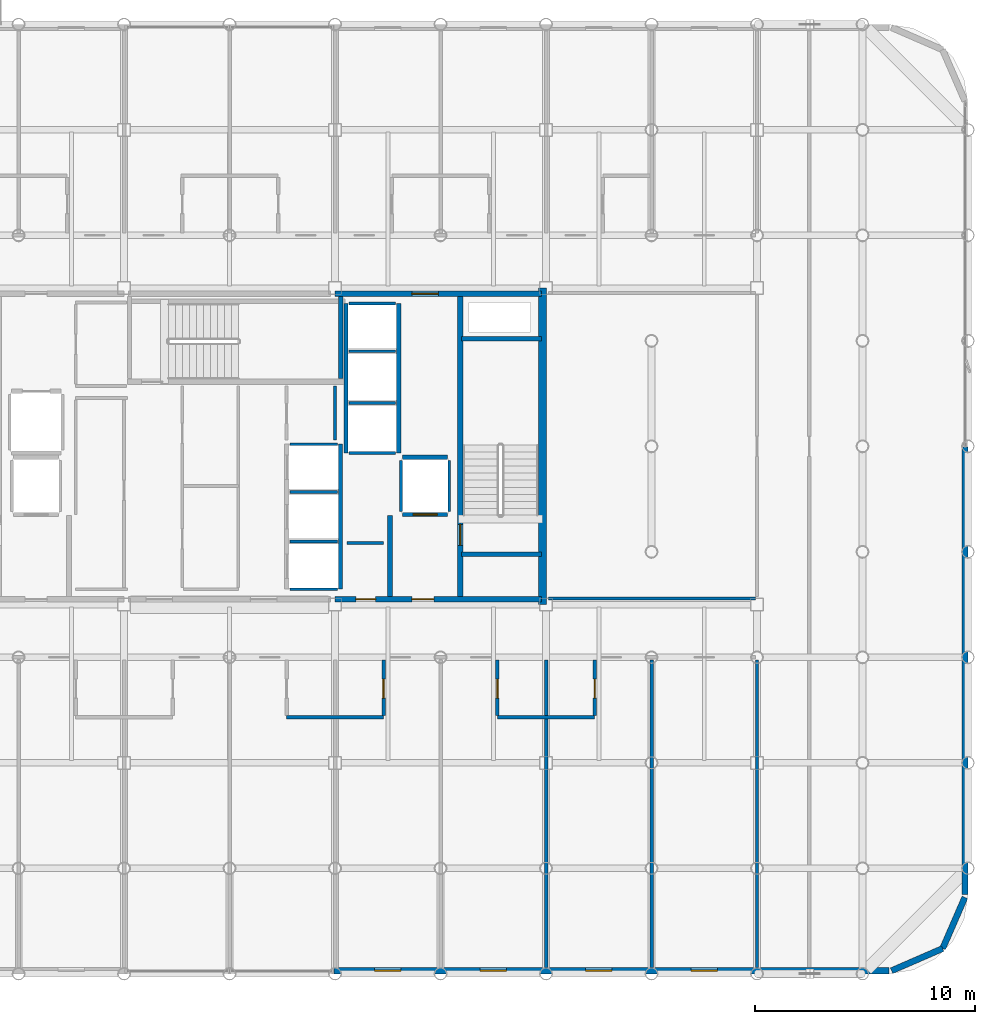
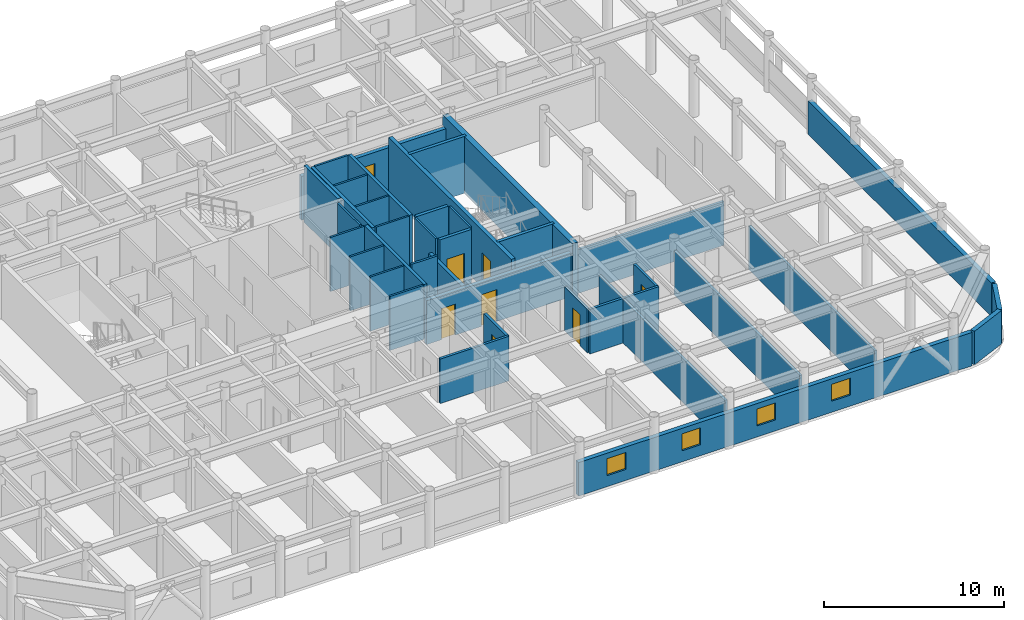
# One storey, part 19 of 23: 38 walls, 8 doors, 4 windows, 12 openings.
"""IFC4 building model written with IfcOpenShell, lengths in metres."""

from ifc_helpers import new_model, si_unit, direction, frame, frame_2d, origin, place, context, subcontext, project, spatial, rectangle, extrude, material, layer, layer_set, type_object, element, fill, save


model = new_model("IFC4")

# Units and contexts
model_context = context("Model", 3, precision=1e-05, world=origin(), true_north=direction((0.0, 1.0)))
body_context = subcontext(model_context, "Body", "Model", "MODEL_VIEW")
ifc_project = project(units=[si_unit("LENGTHUNIT", "METRE"), si_unit("AREAUNIT", "SQUARE_METRE"), si_unit("VOLUMEUNIT", "CUBIC_METRE"), si_unit("PLANEANGLEUNIT", "RADIAN"), si_unit("MASSUNIT", "GRAM", prefix="KILO")], contexts=[model_context])

# Site, building, storey
site_placement = place(None, origin())
site = spatial("IfcSite", under=ifc_project, at=site_placement, CompositionType="ELEMENT")
building_placement = place(site_placement, origin())
building = spatial("IfcBuilding", under=site, at=building_placement, Name="Kallvorn Hotel Tower", CompositionType="ELEMENT")
storey_placement = place(building_placement, frame((0.0, 0.0, 195.35009765625)))
storey = spatial("IfcBuildingStorey", under=building, at=storey_placement, Name="L48", CompositionType="ELEMENT", Elevation=195.35009765625)

# Walls
ifc_material_1 = material(Name="Concrete C50/60", Category="concrete")
ifc_layer_1 = layer(ifc_material_1, 0.35009765625)
ifc_layer_set_1 = layer_set([ifc_layer_1], Name="WL_CORE_350")
wall_type_1 = type_object("IfcWallType", Name="WL_CORE_350", PredefinedType="SHEAR", material=ifc_layer_set_1)
wall_1_placement = place(storey_placement, frame((14.239990234375, -7.199951171875, -0.18017578125), z_axis=(0.0, 0.0, 1.0), x_axis=(0.0, 1.0, 0.0)))
element("IfcWall", 1, at=wall_1_placement, inside=storey, type_object=wall_type_1, Name="L48 Core East Shear Wall", PredefinedType="SHEAR", context=body_context, shape_type="SweptSolid", body=[
    extrude(rectangle(XDim=14.39990234375, YDim=0.35009765625, at=frame_2d((7.199951171875, 0.0))), origin(), (0.0, 0.0, 1.0), 3.85009765625),
])
ifc_material_2 = material(Name="Fire-rated double-layer acoustic gypsum drywall EI 60")
ifc_layer_2 = layer(ifc_material_2, 0.159912109375)
ifc_layer_set_2 = layer_set([ifc_layer_2], Name="WL_DEMISE_160")
wall_type_2 = type_object("IfcWallType", Name="WL_DEMISE_160", PredefinedType="PARTITIONING", material=ifc_layer_set_2)
wall_2_placement = place(storey_placement, frame((2.590087890625, -12.320068359375, 0.0), z_axis=(0.0, 0.0, 1.0), x_axis=(1.0, 0.0, 0.0)))
element("IfcWall", 2, at=wall_2_placement, inside=storey, type_object=wall_type_2, Name="L48 Suite 4805 Superior Twin Room Partition", PredefinedType="PARTITIONING", context=body_context, shape_type="SweptSolid", body=[
    extrude(rectangle(XDim=4.419921875, YDim=0.159912109375, at=frame_2d((2.2099609375, 0.0))), origin(), (0.0, 0.0, 1.0), 3.02001953125),
])
wall_3_placement = place(storey_placement, frame((12.18994140625, -12.320068359375, 0.0), z_axis=(0.0, 0.0, 1.0), x_axis=(1.0, 0.0, 0.0)))
element("IfcWall", 3, at=wall_3_placement, inside=storey, type_object=wall_type_2, Name="L48 Suite 4807 Superior Twin Room Partition", PredefinedType="PARTITIONING", context=body_context, shape_type="SweptSolid", body=[
    extrude(rectangle(XDim=4.420166015625, YDim=0.159912109375, at=frame_2d((2.2099609375, 0.0))), origin(), (0.0, 0.0, 1.0), 3.02001953125),
])

# Wall, opening, door
wall_4_placement = place(storey_placement, frame((7.006591796875, -12.235107421875, 0.0), z_axis=(0.0, 0.0, 1.0), x_axis=(0.0, 1.0, 0.0)))
wall_4 = element("IfcWall", 4, at=wall_4_placement, inside=storey, type_object=wall_type_2, Name="L48 Suite 4806 Superior Twin Room Partition", PredefinedType="PARTITIONING", context=body_context, shape_type="SweptSolid", body=[
    extrude(rectangle(XDim=2.51513671875, YDim=0.159912109375, at=frame_2d((1.257568359375, 0.0))), origin(), (0.0, 0.0, 1.0), 2.969970703125),
])
opening_1_placement = place(wall_4_placement, frame((0.784912109375, 0.0, 0.0)))
opening_1 = element("IfcOpeningElement", 5, at=opening_1_placement, cuts=wall_4, Name="Opening BD-I", PredefinedType="OPENING", context=body_context, shape_type="SweptSolid", body=[
    extrude(rectangle(XDim=0.860107421875, YDim=2.10009765625, at=frame_2d((0.43017578125, 1.050048828125))), frame((0.0, 0.094970703125, 0.0), z_axis=(0.0, -1.0, 0.0), x_axis=(1.0, 0.0, 0.0)), (0.0, 0.0, 1.0), 0.18994140625),
])
ifc_material_3 = material(Name="Solid-core walnut veneer fire-rated timber door leaf", Category="wood")
door_type_1 = type_object("IfcDoorType", Name="DR_BATH_860x2100", OperationType="NOTDEFINED", PredefinedType="DOOR", material=ifc_material_3)
door_1_placement = place(opening_1_placement, origin())
door_1 = element("IfcDoor", 6, at=door_1_placement, inside=storey, type_object=door_type_1, Name="L48 Suite 4806 En-Suite Bathroom Door", OperationType="SINGLE_SWING_RIGHT", OverallHeight=2.10009765625, OverallWidth=0.860107421875, PredefinedType="DOOR", context=body_context, shape_type="SweptSolid", body=[
    extrude(rectangle(XDim=0.860107421875, YDim=2.10009765625, at=frame_2d((0.43017578125, 1.050048828125))), frame((0.0, 0.02490234375, 0.0), z_axis=(0.0, -1.0, 0.0), x_axis=(1.0, 0.0, 0.0)), (0.0, 0.0, 1.0), 0.050048828125),
])
fill(opening_1, door_1)

wall_5_placement = place(storey_placement, frame((12.18994140625, -12.235107421875, 0.0), z_axis=(0.0, 0.0, 1.0), x_axis=(0.0, 1.0, 0.0)))
wall_5 = element("IfcWall", 7, at=wall_5_placement, inside=storey, type_object=wall_type_2, Name="L48 Suite 4807 Superior Twin Room Partition", PredefinedType="PARTITIONING", context=body_context, shape_type="SweptSolid", body=[
    extrude(rectangle(XDim=2.51513671875, YDim=0.159912109375, at=frame_2d((1.257568359375, 0.0))), origin(), (0.0, 0.0, 1.0), 2.969970703125),
])
opening_2_placement = place(wall_5_placement, frame((0.784912109375, 0.0, 0.0)))
opening_2 = element("IfcOpeningElement", 8, at=opening_2_placement, cuts=wall_5, Name="Opening BD-I", PredefinedType="OPENING", context=body_context, shape_type="SweptSolid", body=[
    extrude(rectangle(XDim=0.860107421875, YDim=2.10009765625, at=frame_2d((0.43017578125, 1.050048828125))), frame((0.0, 0.094970703125, 0.0), z_axis=(0.0, -1.0, 0.0), x_axis=(1.0, 0.0, 0.0)), (0.0, 0.0, 1.0), 0.18994140625),
])
door_2_placement = place(opening_2_placement, origin())
door_2 = element("IfcDoor", 9, at=door_2_placement, inside=storey, type_object=door_type_1, Name="L48 Suite 4807 En-Suite Bathroom Door", OperationType="SINGLE_SWING_RIGHT", OverallHeight=2.10009765625, OverallWidth=0.860107421875, PredefinedType="DOOR", context=body_context, shape_type="SweptSolid", body=[
    extrude(rectangle(XDim=0.860107421875, YDim=2.10009765625, at=frame_2d((0.43017578125, 1.050048828125))), frame((0.0, 0.02490234375, 0.0), z_axis=(0.0, -1.0, 0.0), x_axis=(1.0, 0.0, 0.0)), (0.0, 0.0, 1.0), 0.050048828125),
])
fill(opening_2, door_2)

# Wall
wall_6_placement = place(storey_placement, frame((14.39990234375, -23.7099609375, 0.0), z_axis=(0.0, 0.0, 1.0), x_axis=(0.0, 1.0, 0.0)))
element("IfcWall", 10, at=wall_6_placement, inside=storey, type_object=wall_type_2, Name="L48 Suite 4807 Superior Twin Room Partition", PredefinedType="PARTITIONING", context=body_context, shape_type="SweptSolid", body=[
    extrude(rectangle(XDim=13.989990234375, YDim=0.159912109375, at=frame_2d((6.9951171875, 0.0))), origin(), (0.0, 0.0, 1.0), 2.969970703125),
])

# Wall, opening, door
wall_7_placement = place(storey_placement, frame((16.610107421875, -12.235107421875, 0.0), z_axis=(0.0, 0.0, 1.0), x_axis=(0.0, 1.0, 0.0)))
wall_7 = element("IfcWall", 11, at=wall_7_placement, inside=storey, type_object=wall_type_2, Name="L48 Suite 4808 Superior Twin Room Partition", PredefinedType="PARTITIONING", context=body_context, shape_type="SweptSolid", body=[
    extrude(rectangle(XDim=2.51513671875, YDim=0.159912109375, at=frame_2d((1.257568359375, 0.0))), origin(), (0.0, 0.0, 1.0), 2.969970703125),
])
opening_3_placement = place(wall_7_placement, frame((0.784912109375, 0.0, 0.0)))
opening_3 = element("IfcOpeningElement", 12, at=opening_3_placement, cuts=wall_7, Name="Opening BD-I", PredefinedType="OPENING", context=body_context, shape_type="SweptSolid", body=[
    extrude(rectangle(XDim=0.860107421875, YDim=2.10009765625, at=frame_2d((0.43017578125, 1.050048828125))), frame((0.0, 0.094970703125, 0.0), z_axis=(0.0, -1.0, 0.0), x_axis=(1.0, 0.0, 0.0)), (0.0, 0.0, 1.0), 0.18994140625),
])
door_3_placement = place(opening_3_placement, origin())
door_3 = element("IfcDoor", 13, at=door_3_placement, inside=storey, type_object=door_type_1, Name="L48 Suite 4808 En-Suite Bathroom Door", OperationType="SINGLE_SWING_RIGHT", OverallHeight=2.10009765625, OverallWidth=0.860107421875, PredefinedType="DOOR", context=body_context, shape_type="SweptSolid", body=[
    extrude(rectangle(XDim=0.860107421875, YDim=2.10009765625, at=frame_2d((0.43017578125, 1.050048828125))), frame((0.0, 0.02490234375, 0.0), z_axis=(0.0, -1.0, 0.0), x_axis=(1.0, 0.0, 0.0)), (0.0, 0.0, 1.0), 0.050048828125),
])
fill(opening_3, door_3)

# Walls
wall_8_placement = place(storey_placement, frame((19.199951171875, -23.7099609375, 0.0), z_axis=(0.0, 0.0, 1.0), x_axis=(0.0, 1.0, 0.0)))
element("IfcWall", 14, at=wall_8_placement, inside=storey, type_object=wall_type_2, Name="L48 Suite 4808 Superior Twin Room Partition", PredefinedType="PARTITIONING", context=body_context, shape_type="SweptSolid", body=[
    extrude(rectangle(XDim=13.989990234375, YDim=0.159912109375, at=frame_2d((6.9951171875, 0.0))), origin(), (0.0, 0.0, 1.0), 2.969970703125),
])
ifc_material_4 = material(Name="Precast basalt-clad insulated concrete wall C40/50", Category="masonry")
ifc_layer_3 = layer(ifc_material_4, 0.280029296875)
ifc_layer_set_3 = layer_set([ifc_layer_3], Name="WL_EXT_LOGGIA_280")
wall_type_3 = type_object("IfcWallType", Name="WL_EXT_LOGGIA_280", PredefinedType="SOLIDWALL", material=ifc_layer_set_3)
wall_9_placement = place(storey_placement, frame((30.120849609375, -23.85791015625, 0.0), z_axis=(0.0, 0.0, 1.0), x_axis=(0.917060872934, 0.398747232384, 0.0)))
element("IfcWall", 15, at=wall_9_placement, inside=storey, type_object=wall_type_3, Name="L48 Rounded Corner Exterior Wall SE1", PredefinedType="SOLIDWALL", context=body_context, shape_type="SweptSolid", body=[
    extrude(rectangle(XDim=2.5361328125, YDim=0.280029296875, at=frame_2d((1.26806640625, 0.0))), origin(), (0.0, 0.0, 1.0), 2.27001953125),
])
wall_10_placement = place(storey_placement, frame((32.446533203125, -22.8466796875, 0.0), z_axis=(0.0, 0.0, 1.0), x_axis=(0.398792985289, 0.917040977756, 0.0)))
element("IfcWall", 16, at=wall_10_placement, inside=storey, type_object=wall_type_3, Name="L48 Rounded Corner Exterior Wall SE2", PredefinedType="SOLIDWALL", context=body_context, shape_type="SweptSolid", body=[
    extrude(rectangle(XDim=2.536376953125, YDim=0.280029296875, at=frame_2d((1.26806640625, 0.0))), origin(), (0.0, 0.0, 1.0), 2.27001953125),
])

# Wall, openings, windows
wall_11_placement = place(storey_placement, frame((4.75, -23.860107421875, 0.0), z_axis=(0.0, 0.0, 1.0), x_axis=(1.0, 0.0, 0.0)))
wall_11 = element("IfcWall", 17, at=wall_11_placement, inside=storey, type_object=wall_type_3, Name="L48 Exterior Envelope Wall EW-L48-SE", PredefinedType="SOLIDWALL", context=body_context, shape_type="SweptSolid", body=[
    extrude(rectangle(XDim=25.25, YDim=0.280029296875, at=frame_2d((12.625, 0.0))), origin(), (0.0, 0.0, 1.0), 2.27001953125),
])
opening_4_placement = place(wall_11_placement, frame((16.25, 0.0, 0.75)))
opening_4 = element("IfcOpeningElement", 18, at=opening_4_placement, cuts=wall_11, Name="Opening W06A", PredefinedType="OPENING", context=body_context, shape_type="SweptSolid", body=[
    extrude(rectangle(XDim=1.199951171875, YDim=1.14990234375, at=frame_2d((0.60009765625, 0.574951171875))), frame((0.0, 0.155029296875, 0.0), z_axis=(0.0, -1.0, 0.0), x_axis=(1.0, 0.0, 0.0)), (0.0, 0.0, 1.0), 0.31005859375),
])
opening_5_placement = place(wall_11_placement, frame((1.85009765625, 0.0, 0.75)))
opening_5 = element("IfcOpeningElement", 19, at=opening_5_placement, cuts=wall_11, Name="Opening W06A", PredefinedType="OPENING", context=body_context, shape_type="SweptSolid", body=[
    extrude(rectangle(XDim=1.199951171875, YDim=1.14990234375, at=frame_2d((0.60009765625, 0.574951171875))), frame((0.0, 0.155029296875, 0.0), z_axis=(0.0, -1.0, 0.0), x_axis=(1.0, 0.0, 0.0)), (0.0, 0.0, 1.0), 0.31005859375),
])
opening_6_placement = place(wall_11_placement, frame((6.64990234375, 0.0, 0.75)))
opening_6 = element("IfcOpeningElement", 20, at=opening_6_placement, cuts=wall_11, Name="Opening W06A", PredefinedType="OPENING", context=body_context, shape_type="SweptSolid", body=[
    extrude(rectangle(XDim=1.199951171875, YDim=1.14990234375, at=frame_2d((0.60009765625, 0.574951171875))), frame((0.0, 0.155029296875, 0.0), z_axis=(0.0, -1.0, 0.0), x_axis=(1.0, 0.0, 0.0)), (0.0, 0.0, 1.0), 0.31005859375),
])
opening_7_placement = place(wall_11_placement, frame((11.449951171875, 0.0, 0.75)))
opening_7 = element("IfcOpeningElement", 21, at=opening_7_placement, cuts=wall_11, Name="Opening W06A", PredefinedType="OPENING", context=body_context, shape_type="SweptSolid", body=[
    extrude(rectangle(XDim=1.199951171875, YDim=1.14990234375, at=frame_2d((0.60009765625, 0.574951171875))), frame((0.0, 0.155029296875, 0.0), z_axis=(0.0, -1.0, 0.0), x_axis=(1.0, 0.0, 0.0)), (0.0, 0.0, 1.0), 0.31005859375),
])
ifc_material_5 = material(Name="Triple-glazed low-e acoustic solar-control dark glass", Category="glass")
window_type = type_object("IfcWindowType", Name="WN_HTL_1200x1150", PartitioningType="SINGLE_PANEL", PredefinedType="WINDOW", material=ifc_material_5)
window_1_placement = place(opening_4_placement, origin())
window_1 = element("IfcWindow", 22, at=window_1_placement, inside=storey, type_object=window_type, Name="L48 Guestroom Exterior Window 01", OverallHeight=1.14990234375, OverallWidth=1.199951171875, PartitioningType="SINGLE_PANEL", PredefinedType="WINDOW", context=body_context, shape_type="SweptSolid", body=[
    extrude(rectangle(XDim=1.199951171875, YDim=1.14990234375, at=frame_2d((0.60009765625, 0.574951171875))), frame((0.0, 0.030029296875, 0.0), z_axis=(0.0, -1.0, 0.0), x_axis=(1.0, 0.0, 0.0)), (0.0, 0.0, 1.0), 0.06005859375),
])
fill(opening_4, window_1)
window_2_placement = place(opening_5_placement, origin())
window_2 = element("IfcWindow", 23, at=window_2_placement, inside=storey, type_object=window_type, Name="L48 Guestroom Exterior Window 06", OverallHeight=1.14990234375, OverallWidth=1.199951171875, PartitioningType="SINGLE_PANEL", PredefinedType="WINDOW", context=body_context, shape_type="SweptSolid", body=[
    extrude(rectangle(XDim=1.199951171875, YDim=1.14990234375, at=frame_2d((0.60009765625, 0.574951171875))), frame((0.0, 0.030029296875, 0.0), z_axis=(0.0, -1.0, 0.0), x_axis=(1.0, 0.0, 0.0)), (0.0, 0.0, 1.0), 0.06005859375),
])
fill(opening_5, window_2)
window_3_placement = place(opening_6_placement, origin())
window_3 = element("IfcWindow", 24, at=window_3_placement, inside=storey, type_object=window_type, Name="L48 Guestroom Exterior Window 07", OverallHeight=1.14990234375, OverallWidth=1.199951171875, PartitioningType="SINGLE_PANEL", PredefinedType="WINDOW", context=body_context, shape_type="SweptSolid", body=[
    extrude(rectangle(XDim=1.199951171875, YDim=1.14990234375, at=frame_2d((0.60009765625, 0.574951171875))), frame((0.0, 0.030029296875, 0.0), z_axis=(0.0, -1.0, 0.0), x_axis=(1.0, 0.0, 0.0)), (0.0, 0.0, 1.0), 0.06005859375),
])
fill(opening_6, window_3)
window_4_placement = place(opening_7_placement, origin())
window_4 = element("IfcWindow", 25, at=window_4_placement, inside=storey, type_object=window_type, Name="L48 Guestroom Exterior Window 08", OverallHeight=1.14990234375, OverallWidth=1.199951171875, PartitioningType="SINGLE_PANEL", PredefinedType="WINDOW", context=body_context, shape_type="SweptSolid", body=[
    extrude(rectangle(XDim=1.199951171875, YDim=1.14990234375, at=frame_2d((0.60009765625, 0.574951171875))), frame((0.0, 0.030029296875, 0.0), z_axis=(0.0, -1.0, 0.0), x_axis=(1.0, 0.0, 0.0)), (0.0, 0.0, 1.0), 0.06005859375),
])
fill(opening_7, window_4)

# Walls
wall_12_placement = place(storey_placement, frame((33.4599609375, -20.39990234375, 0.0), z_axis=(0.0, 0.0, 1.0), x_axis=(0.0, 1.0, 0.0)))
element("IfcWall", 26, at=wall_12_placement, inside=storey, type_object=wall_type_3, Name="L48 Exterior Envelope Wall EW-L48-ES", PredefinedType="SOLIDWALL", context=body_context, shape_type="SweptSolid", body=[
    extrude(rectangle(XDim=20.3798828125, YDim=0.280029296875, at=frame_2d((10.18994140625, 0.0))), origin(), (0.0, 0.0, 1.0), 2.27001953125),
])
ifc_material_6 = material(Name="Concrete C40/50", Category="concrete")
ifc_layer_4 = layer(ifc_material_6, 0.219970703125)
ifc_layer_set_4 = layer_set([ifc_layer_4], Name="WL_FFL_220")
wall_type_4 = type_object("IfcWallType", Name="WL_FFL_220", PredefinedType="SOLIDWALL", material=ifc_layer_set_4)
wall_13_placement = place(storey_placement, frame((7.300048828125, -6.820068359375, 0.0), z_axis=(0.0, 0.0, 1.0), x_axis=(0.0, 1.0, 0.0)))
element("IfcWall", 27, at=wall_13_placement, inside=storey, type_object=wall_type_4, Name="L48 Firefighting Lobby East Divider Wall", PredefinedType="SOLIDWALL", context=body_context, shape_type="SweptSolid", body=[
    extrude(rectangle(XDim=3.670166015625, YDim=0.219970703125, at=frame_2d((1.8349609375, 0.0))), origin(), (0.0, 0.0, 1.0), 2.969970703125),
])
ifc_material_7 = material(Name="Concrete C40/50", Category="concrete")
ifc_layer_5 = layer(ifc_material_7, 0.199951171875)
ifc_layer_set_5 = layer_set([ifc_layer_5], Name="WL_HOIST_200")
wall_type_5 = type_object("IfcWallType", Name="WL_HOIST_200", PredefinedType="SOLIDWALL", material=ifc_layer_set_5)
for number, where, z_axis, x_axis, name in (
    (28, (10.550048828125, -4.89990234375, -0.18017578125), (0.0, 0.0, 1.0), (1.0, 0.0, 0.0), "L48 Stair ST2 South Wall"),
    (29, (10.550048828125, 4.89990234375, -0.18017578125), (0.0, 0.0, 1.0), (1.0, 0.0, 0.0), "L48 Stair ST2 North Wall"),
):
    element("IfcWall", number, at=place(storey_placement, frame(where, z_axis=z_axis, x_axis=x_axis)), inside=storey, type_object=wall_type_5, Name=name, PredefinedType="SOLIDWALL", context=body_context, shape_type="SweptSolid", body=[
        extrude(rectangle(XDim=3.64990234375, YDim=0.199951171875, at=frame_2d((1.824951171875, 0.0))), origin(), (0.0, 0.0, 1.0), 3.85009765625),
    ])
wall_14_placement = place(storey_placement, frame((5.06005859375, 3.080078125, -0.18017578125), z_axis=(0.0, 0.0, 1.0), x_axis=(0.0, 1.0, 0.0)))
element("IfcWall", 30, at=wall_14_placement, inside=storey, type_object=wall_type_5, Name="L48 Stair ST3 East Wall", PredefinedType="SOLIDWALL", context=body_context, shape_type="SweptSolid", body=[
    extrude(rectangle(XDim=3.739990234375, YDim=0.199951171875, at=frame_2d((1.8701171875, 0.0))), origin(), (0.0, 0.0, 1.0), 3.85009765625),
])
wall_15_placement = place(storey_placement, frame((5.050048828125, -6.5, 0.0), z_axis=(0.0, 0.0, 1.0), x_axis=(0.0, 1.0, 0.0)))
element("IfcWall", 31, at=wall_15_placement, inside=storey, type_object=wall_type_5, Name="L48 Lift Bank B3A Rear Shaft Wall", PredefinedType="SOLIDWALL", context=body_context, shape_type="SweptSolid", body=[
    extrude(rectangle(XDim=6.60009765625, YDim=0.199951171875, at=frame_2d((3.300048828125, 0.0))), origin(), (0.0, 0.0, 1.0), 3.669921875),
])
for number, where, z_axis, x_axis, name in (
    (32, (7.699951171875, -0.300048828125, 0.0), (0.0, 0.0, 1.0), (0.0, 1.0, 0.0), "L48 Lift Bank OBS Landing Wall"),
    (33, (5.300048828125, -0.300048828125, 0.0), (0.0, 0.0, 1.0), (0.0, 1.0, 0.0), "L48 Lift Bank OBS Rear Shaft Wall"),
):
    element("IfcWall", number, at=place(storey_placement, frame(where, z_axis=z_axis, x_axis=x_axis)), inside=storey, type_object=wall_type_5, Name=name, PredefinedType="SOLIDWALL", context=body_context, shape_type="SweptSolid", body=[
        extrude(rectangle(XDim=6.800048828125, YDim=0.199951171875, at=frame_2d((3.39990234375, 0.0))), origin(), (0.0, 0.0, 1.0), 3.669921875),
    ])

# Wall, opening, door
wall_16_placement = place(storey_placement, frame((7.8798828125, -3.10009765625, 0.0), z_axis=(0.0, 0.0, 1.0), x_axis=(1.0, 0.0, 0.0)))
wall_16 = element("IfcWall", 34, at=wall_16_placement, inside=storey, type_object=wall_type_5, Name="L48 FL-2 Landing Wall", PredefinedType="SOLIDWALL", context=body_context, shape_type="SweptSolid", body=[
    extrude(rectangle(XDim=2.0400390625, YDim=0.199951171875, at=frame_2d((1.02001953125, 0.0))), origin(), (0.0, 0.0, 1.0), 3.669921875),
])
opening_8_placement = place(wall_16_placement, frame((0.469970703125, 0.0, 0.0)))
opening_8 = element("IfcOpeningElement", 35, at=opening_8_placement, cuts=wall_16, Name="Opening LD-FL-2", PredefinedType="OPENING", context=body_context, shape_type="SweptSolid", body=[
    extrude(rectangle(XDim=1.10009765625, YDim=2.199951171875, at=frame_2d((0.550048828125, 1.10009765625))), frame((0.0, 0.114990234375, 0.0), z_axis=(0.0, -1.0, 0.0), x_axis=(1.0, 0.0, 0.0)), (0.0, 0.0, 1.0), 0.22998046875),
])
ifc_material_8 = material(Name="Brushed stainless-steel automatic sliding lift landing door", Category="steel")
door_type_2 = type_object("IfcDoorType", Name="LD_PASS_1100x2200", OperationType="SLIDING_TO_LEFT", PredefinedType="DOOR", material=ifc_material_8)
door_4_placement = place(opening_8_placement, origin())
door_4 = element("IfcDoor", 36, at=door_4_placement, inside=storey, type_object=door_type_2, Name="L48 Lift Landing Sliding Door LD-FL-2", OperationType="SLIDING_TO_LEFT", OverallHeight=2.199951171875, OverallWidth=1.10009765625, PredefinedType="DOOR", context=body_context, shape_type="SweptSolid", body=[
    extrude(rectangle(XDim=1.10009765625, YDim=2.199951171875, at=frame_2d((0.550048828125, 1.10009765625))), frame((0.0, 0.02490234375, 0.0), z_axis=(0.0, -1.0, 0.0), x_axis=(1.0, 0.0, 0.0)), (0.0, 0.0, 1.0), 0.050048828125),
])
fill(opening_8, door_4)

# Walls
wall_17_placement = place(storey_placement, frame((7.8798828125, -0.5, 0.0), z_axis=(0.0, 0.0, 1.0), x_axis=(1.0, 0.0, 0.0)))
element("IfcWall", 37, at=wall_17_placement, inside=storey, type_object=wall_type_5, Name="L48 FL-2 Rear Shaft Wall", PredefinedType="SOLIDWALL", context=body_context, shape_type="SweptSolid", body=[
    extrude(rectangle(XDim=2.0400390625, YDim=0.199951171875, at=frame_2d((1.02001953125, 0.0))), origin(), (0.0, 0.0, 1.0), 3.669921875),
])
ifc_material_9 = material(Name="Fire-rated double-layer acoustic gypsum drywall EI 60")
ifc_layer_6 = layer(ifc_material_9, 0.1201171875)
ifc_layer_set_6 = layer_set([ifc_layer_6], Name="WL_INT_120")
wall_type_6 = type_object("IfcWallType", Name="WL_INT_120", PredefinedType="PARTITIONING", material=ifc_layer_set_6)
for number, where, z_axis, x_axis, name in (
    (38, (2.739990234375, -6.5, 0.0), (0.0, 0.0, 1.0), (1.0, 0.0, 0.0), "L48 Lift Bank B3A South Closure Wall"),
    (39, (2.739990234375, -4.324951171875, 0.0), (0.0, 0.0, 1.0), (1.0, 0.0, 0.0), "L48 PL-09 Hoistway Divider"),
    (40, (2.739990234375, -2.074951171875, 0.0), (0.0, 0.0, 1.0), (1.0, 0.0, 0.0), "L48 PL-10 Hoistway Divider"),
    (41, (2.739990234375, 0.10009765625, 0.0), (0.0, 0.0, 1.0), (1.0, 0.0, 0.0), "L48 PL-11 Hoistway Divider"),
):
    element("IfcWall", number, at=place(storey_placement, frame(where, z_axis=z_axis, x_axis=x_axis)), inside=storey, type_object=wall_type_6, Name=name, PredefinedType="PARTITIONING", context=body_context, shape_type="SweptSolid", body=[
        extrude(rectangle(XDim=2.169921875, YDim=0.1201171875, at=frame_2d((1.0849609375, 0.0))), origin(), (0.0, 0.0, 1.0), 3.669921875),
    ])
for number, where, z_axis, x_axis, name in (
    (42, (5.43994140625, -0.300048828125, 0.0), (0.0, 0.0, 1.0), (1.0, 0.0, 0.0), "L48 Lift Bank OBS South Closure Wall"),
    (43, (5.43994140625, 1.97509765625, 0.0), (0.0, 0.0, 1.0), (1.0, 0.0, 0.0), "L48 OB-01 Hoistway Divider"),
    (44, (5.43994140625, 4.324951171875, 0.0), (0.0, 0.0, 1.0), (1.0, 0.0, 0.0), "L48 OB-02 Hoistway Divider"),
    (45, (5.43994140625, 6.5, 0.0), (0.0, 0.0, 1.0), (1.0, 0.0, 0.0), "L48 OB-03 Hoistway Divider"),
):
    element("IfcWall", number, at=place(storey_placement, frame(where, z_axis=z_axis, x_axis=x_axis)), inside=storey, type_object=wall_type_6, Name=name, PredefinedType="PARTITIONING", context=body_context, shape_type="SweptSolid", body=[
        extrude(rectangle(XDim=2.1201171875, YDim=0.1201171875, at=frame_2d((1.06005859375, 0.0))), origin(), (0.0, 0.0, 1.0), 3.669921875),
    ])
for number, where, z_axis, x_axis, name in (
    (46, (7.800048828125, -2.9599609375, 0.0), (0.0, 0.0, 1.0), (0.0, 1.0, 0.0), "L48 FL-2 West Shaft Wall"),
    (47, (10.0, -2.9599609375, 0.0), (0.0, 0.0, 1.0), (0.0, 1.0, 0.0), "L48 FL-2 East Shaft Wall"),
):
    element("IfcWall", number, at=place(storey_placement, frame(where, z_axis=z_axis, x_axis=x_axis)), inside=storey, type_object=wall_type_6, Name=name, PredefinedType="PARTITIONING", context=body_context, shape_type="SweptSolid", body=[
        extrude(rectangle(XDim=2.320068359375, YDim=0.1201171875, at=frame_2d((1.16015625, 0.0))), origin(), (0.0, 0.0, 1.0), 3.669921875),
    ])
wall_18_placement = place(storey_placement, frame((4.800048828125, 0.300048828125, 0.0), z_axis=(0.0, 0.0, 1.0), x_axis=(0.0, 1.0, 0.0)))
element("IfcWall", 48, at=wall_18_placement, inside=storey, type_object=wall_type_6, Name="L48 East Core Janitor Room Partition", PredefinedType="PARTITIONING", context=body_context, shape_type="SweptSolid", body=[
    extrude(rectangle(XDim=2.449951171875, YDim=0.1201171875, at=frame_2d((1.22509765625, 0.0))), origin(), (0.0, 0.0, 1.0), 3.669921875),
])
ifc_material_10 = material(Name="Fire-rated double-layer acoustic gypsum drywall EI 60")
ifc_layer_7 = layer(ifc_material_10, 0.14990234375)
ifc_layer_set_7 = layer_set([ifc_layer_7], Name="WL_PART_150")
wall_type_7 = type_object("IfcWallType", Name="WL_PART_150", PredefinedType="PARTITIONING", material=ifc_layer_set_7)
wall_19_placement = place(storey_placement, frame((14.52001953125, -6.919921875, 0.0), z_axis=(0.0, 0.0, 1.0), x_axis=(1.0, 0.0, 0.0)))
element("IfcWall", 49, at=wall_19_placement, inside=storey, type_object=wall_type_7, Name="L48 L48 High-Zone Inner East Club Gallery Partition", PredefinedType="PARTITIONING", context=body_context, shape_type="SweptSolid", body=[
    extrude(rectangle(XDim=9.39990234375, YDim=0.14990234375, at=frame_2d((4.699951171875, 0.0))), origin(), (0.0, 0.0, 1.0), 2.969970703125),
])
wall_20_placement = place(storey_placement, frame((24.0, -23.7099609375, 0.0), z_axis=(0.0, 0.0, 1.0), x_axis=(0.0, 1.0, 0.0)))
element("IfcWall", 50, at=wall_20_placement, inside=storey, type_object=wall_type_7, Name="L48 L48 High-Zone South-East Wine Bar Partition", PredefinedType="PARTITIONING", context=body_context, shape_type="SweptSolid", body=[
    extrude(rectangle(XDim=13.989990234375, YDim=0.14990234375, at=frame_2d((6.9951171875, 0.0))), origin(), (0.0, 0.0, 1.0), 2.969970703125),
])
ifc_material_11 = material(Name="Moisture-resistant acoustic plumbing chase wall EI 60")
ifc_layer_8 = layer(ifc_material_11, 0.139892578125)
ifc_layer_set_8 = layer_set([ifc_layer_8], Name="WL_PLUMB_140")
wall_type_8 = type_object("IfcWallType", Name="WL_PLUMB_140", PredefinedType="PLUMBINGWALL", material=ifc_layer_set_8)
wall_21_placement = place(storey_placement, frame((5.35009765625, -4.39990234375, 0.0), z_axis=(0.0, 0.0, 1.0), x_axis=(1.0, 0.0, 0.0)))
element("IfcWall", 51, at=wall_21_placement, inside=storey, type_object=wall_type_8, Name="L48 Core Staff Restroom WC Partition", PredefinedType="PLUMBINGWALL", context=body_context, shape_type="SweptSolid", body=[
    extrude(rectangle(XDim=1.64990234375, YDim=0.139892578125, at=frame_2d((0.824951171875, 0.0))), origin(), (0.0, 0.0, 1.0), 3.669921875),
])

# Wall, openings, doors
ifc_material_12 = material(Name="Concrete C40/50", Category="concrete")
ifc_layer_9 = layer(ifc_material_12, 0.25)
ifc_layer_set_9 = layer_set([ifc_layer_9], Name="WL_SHAFT_250")
wall_type_9 = type_object("IfcWallType", Name="WL_SHAFT_250", PredefinedType="SOLIDWALL", material=ifc_layer_set_9)
wall_22_placement = place(storey_placement, frame((4.800048828125, -6.949951171875, 0.0), z_axis=(0.0, 0.0, 1.0), x_axis=(1.0, 0.0, 0.0)))
wall_22 = element("IfcWall", 52, at=wall_22_placement, inside=storey, type_object=wall_type_9, Name="L48 Core South-East Wall", PredefinedType="SOLIDWALL", context=body_context, shape_type="SweptSolid", body=[
    extrude(rectangle(XDim=9.39990234375, YDim=0.25, at=frame_2d((4.699951171875, 0.0))), origin(), (0.0, 0.0, 1.0), 2.969970703125),
])
opening_9_placement = place(wall_22_placement, frame((3.5, 0.0, 0.0)))
opening_9 = element("IfcOpeningElement", 53, at=opening_9_placement, cuts=wall_22, Name="Opening FD1", PredefinedType="OPENING", context=body_context, shape_type="SweptSolid", body=[
    extrude(rectangle(XDim=1.0, YDim=2.14990234375, at=frame_2d((0.5, 1.074951171875))), frame((0.0, 0.139892578125, 0.0), z_axis=(0.0, -1.0, 0.0), x_axis=(1.0, 0.0, 0.0)), (0.0, 0.0, 1.0), 0.280029296875),
])
opening_10_placement = place(wall_22_placement, frame((0.949951171875, 0.0, 0.0)))
opening_10 = element("IfcOpeningElement", 54, at=opening_10_placement, cuts=wall_22, Name="Opening SVD1", PredefinedType="OPENING", context=body_context, shape_type="SweptSolid", body=[
    extrude(rectangle(XDim=0.89990234375, YDim=2.10009765625, at=frame_2d((0.449951171875, 1.050048828125))), frame((0.0, 0.139892578125, 0.0), z_axis=(0.0, -1.0, 0.0), x_axis=(1.0, 0.0, 0.0)), (0.0, 0.0, 1.0), 0.280029296875),
])
ifc_material_13 = material(Name="Galvanised painted steel fire-rated door assembly", Category="steel")
door_type_3 = type_object("IfcDoorType", Name="DR_FFL_1000x2150", OperationType="NOTDEFINED", PredefinedType="DOOR", material=ifc_material_13)
door_5_placement = place(opening_9_placement, origin())
door_5 = element("IfcDoor", 55, at=door_5_placement, inside=storey, type_object=door_type_3, Name="L48 Firefighting Lobby East Door", OperationType="SINGLE_SWING_RIGHT", OverallHeight=2.14990234375, OverallWidth=1.0, PredefinedType="DOOR", context=body_context, shape_type="SweptSolid", body=[
    extrude(rectangle(XDim=1.0, YDim=2.14990234375, at=frame_2d((0.5, 1.074951171875))), frame((0.0, 0.02490234375, 0.0), z_axis=(0.0, -1.0, 0.0), x_axis=(1.0, 0.0, 0.0)), (0.0, 0.0, 1.0), 0.050048828125),
])
fill(opening_9, door_5)
ifc_material_14 = material(Name="Galvanised painted steel fire-rated door assembly", Category="steel")
door_type_4 = type_object("IfcDoorType", Name="DR_SERV_900x2100", OperationType="NOTDEFINED", PredefinedType="DOOR", material=ifc_material_14)
door_6_placement = place(opening_10_placement, origin())
door_6 = element("IfcDoor", 56, at=door_6_placement, inside=storey, type_object=door_type_4, Name="L48 Core Staff Restroom WC Door", OperationType="SINGLE_SWING_RIGHT", OverallHeight=2.10009765625, OverallWidth=0.89990234375, PredefinedType="DOOR", context=body_context, shape_type="SweptSolid", body=[
    extrude(rectangle(XDim=0.89990234375, YDim=2.10009765625, at=frame_2d((0.449951171875, 1.050048828125))), frame((0.0, 0.02490234375, 0.0), z_axis=(0.0, -1.0, 0.0), x_axis=(1.0, 0.0, 0.0)), (0.0, 0.0, 1.0), 0.050048828125),
])
fill(opening_10, door_6)

# Wall, opening, door
wall_23_placement = place(storey_placement, frame((4.800048828125, 6.949951171875, 0.0), z_axis=(0.0, 0.0, 1.0), x_axis=(1.0, 0.0, 0.0)))
wall_23 = element("IfcWall", 57, at=wall_23_placement, inside=storey, type_object=wall_type_9, Name="L48 Core North-East Wall", PredefinedType="SOLIDWALL", context=body_context, shape_type="SweptSolid", body=[
    extrude(rectangle(XDim=9.39990234375, YDim=0.25, at=frame_2d((4.699951171875, 0.0))), origin(), (0.0, 0.0, 1.0), 2.969970703125),
])
opening_11_placement = place(wall_23_placement, frame((3.5, 0.0, 0.0)))
opening_11 = element("IfcOpeningElement", 58, at=opening_11_placement, cuts=wall_23, Name="Opening FD2", PredefinedType="OPENING", context=body_context, shape_type="SweptSolid", body=[
    extrude(rectangle(XDim=1.199951171875, YDim=2.199951171875, at=frame_2d((0.60009765625, 1.10009765625))), frame((0.0, 0.139892578125, 0.0), z_axis=(0.0, -1.0, 0.0), x_axis=(1.0, 0.0, 0.0)), (0.0, 0.0, 1.0), 0.280029296875),
])
ifc_material_15 = material(Name="Galvanised painted steel fire-rated door assembly", Category="steel")
door_type_5 = type_object("IfcDoorType", Name="DR_LOBBY_1200x2200", OperationType="DOUBLE_DOOR_SINGLE_SWING", PredefinedType="DOOR", material=ifc_material_15)
door_7_placement = place(opening_11_placement, origin())
door_7 = element("IfcDoor", 59, at=door_7_placement, inside=storey, type_object=door_type_5, Name="L48 Observatory Shuttle Lobby Door", OperationType="DOUBLE_DOOR_SINGLE_SWING", OverallHeight=2.199951171875, OverallWidth=1.199951171875, PredefinedType="DOOR", context=body_context, shape_type="SweptSolid", body=[
    extrude(rectangle(XDim=1.199951171875, YDim=2.199951171875, at=frame_2d((0.60009765625, 1.10009765625))), frame((0.0, 0.02490234375, 0.0), z_axis=(0.0, -1.0, 0.0), x_axis=(1.0, 0.0, 0.0)), (0.0, 0.0, 1.0), 0.050048828125),
])
fill(opening_11, door_7)

wall_24_placement = place(storey_placement, frame((10.5, -6.820068359375, -0.18017578125), z_axis=(0.0, 0.0, 1.0), x_axis=(0.0, 1.0, 0.0)))
wall_24 = element("IfcWall", 60, at=wall_24_placement, inside=storey, type_object=wall_type_9, Name="L48 Stair ST2 Shaft Wall", PredefinedType="SOLIDWALL", context=body_context, shape_type="SweptSolid", body=[
    extrude(rectangle(XDim=13.64013671875, YDim=0.25, at=frame_2d((6.820068359375, 0.0))), origin(), (0.0, 0.0, 1.0), 3.85009765625),
])
opening_12_placement = place(wall_24_placement, frame((2.320068359375, 0.0, 0.179931640625)))
opening_12 = element("IfcOpeningElement", 61, at=opening_12_placement, cuts=wall_24, Name="Opening SD1", PredefinedType="OPENING", context=body_context, shape_type="SweptSolid", body=[
    extrude(rectangle(XDim=0.949951171875, YDim=2.14990234375, at=frame_2d((0.47509765625, 1.074951171875))), frame((0.0, 0.139892578125, 0.0), z_axis=(0.0, -1.0, 0.0), x_axis=(1.0, 0.0, 0.0)), (0.0, 0.0, 1.0), 0.280029296875),
])
ifc_material_16 = material(Name="Galvanised painted steel fire-rated door assembly", Category="steel")
door_type_6 = type_object("IfcDoorType", Name="DR_STAIR_950x2150", OperationType="NOTDEFINED", PredefinedType="DOOR", material=ifc_material_16)
door_8_placement = place(opening_12_placement, origin())
door_8 = element("IfcDoor", 62, at=door_8_placement, inside=storey, type_object=door_type_6, Name="L48 Exit Stair ST2 Fire Door", OperationType="SINGLE_SWING_RIGHT", OverallHeight=2.14990234375, OverallWidth=0.949951171875, PredefinedType="DOOR", context=body_context, shape_type="SweptSolid", body=[
    extrude(rectangle(XDim=0.949951171875, YDim=2.14990234375, at=frame_2d((0.47509765625, 1.074951171875))), frame((0.0, 0.02490234375, 0.0), z_axis=(0.0, -1.0, 0.0), x_axis=(1.0, 0.0, 0.0)), (0.0, 0.0, 1.0), 0.050048828125),
])
fill(opening_12, door_8)

save(model, "model.ifc")
